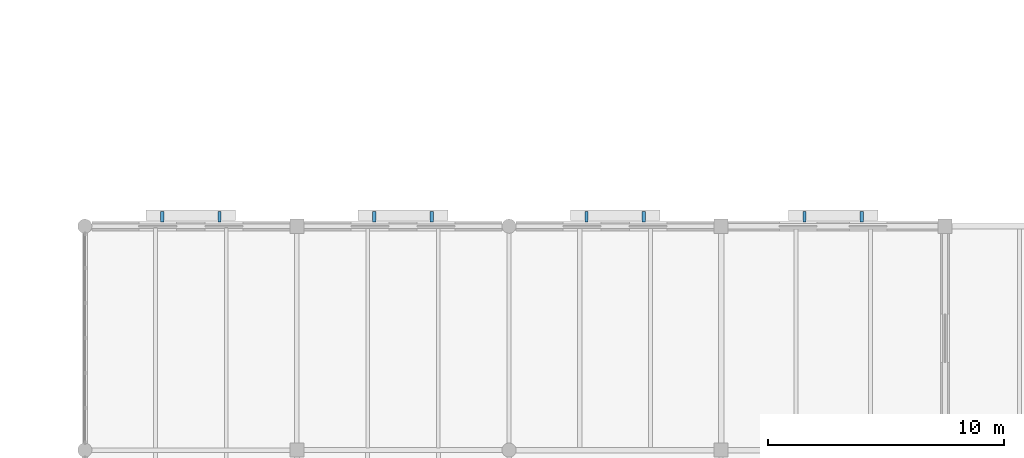
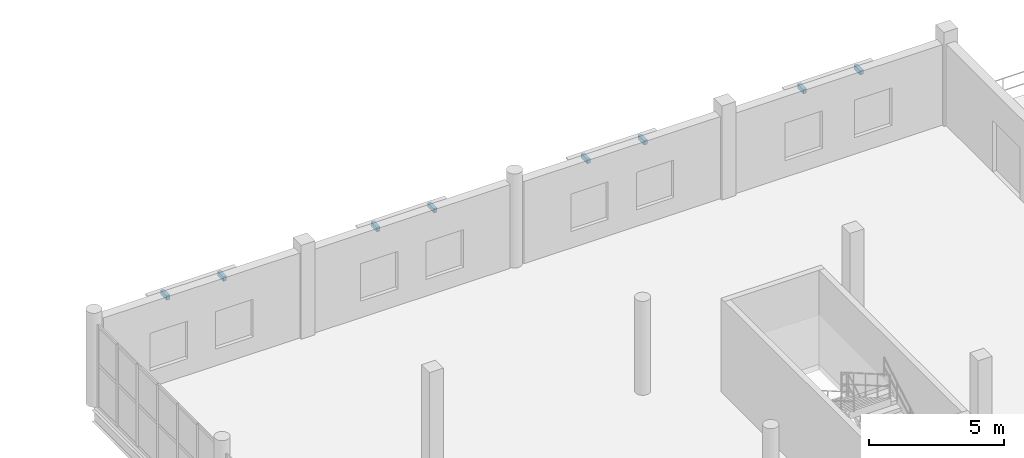
# One storey, part 63 of 73: 8 discrete accessories.
"""IFC4 building model written with IfcOpenShell, lengths in metres."""

from ifc_helpers import new_model, si_unit, direction, frame, origin, origin_2d, place, context, subcontext, project, spatial, rectangle, extrude, material, type_object, element, save


model = new_model("IFC4")

# Units and contexts
model_context = context("Model", 3, precision=1e-05, world=origin(), true_north=direction((0.0, 1.0)))
body_context = subcontext(model_context, "Body", "Model", "MODEL_VIEW")
ifc_project = project(units=[si_unit("LENGTHUNIT", "METRE"), si_unit("AREAUNIT", "SQUARE_METRE"), si_unit("VOLUMEUNIT", "CUBIC_METRE"), si_unit("PLANEANGLEUNIT", "RADIAN"), si_unit("MASSUNIT", "GRAM", prefix="KILO")], contexts=[model_context])

# Site, building, storey
site_placement = place(None, origin())
site = spatial("IfcSite", under=ifc_project, at=site_placement, CompositionType="ELEMENT")
building_placement = place(site_placement, origin())
building = spatial("IfcBuilding", under=site, at=building_placement, Name="Marnock Terrace Opera House", CompositionType="ELEMENT")
storey_placement = place(building_placement, frame((0.0, 0.0, 14.699951171875)))
storey = spatial("IfcBuildingStorey", under=building, at=storey_placement, Name="L03", CompositionType="ELEMENT", Elevation=14.699951171875)

# Discrete accessories
ifc_material = material(Name="Galvanised architectural steel framing", Category="steel")
discrete_accessory_type = type_object("IfcDiscreteAccessoryType", Name="ACC-BRACKET-450", PredefinedType="BRACKET", material=ifc_material)
for number, where, z_axis, x_axis, name in (
    (1, (121.283935546875, 94.39990234375, 3.3974609375), (0.0, 0.0, 1.0), (1.0, 0.0, 0.0), "Brise-soleil support bracket EW-V5N-L03-1.A"),
    (2, (123.716064453125, 94.39990234375, 3.3974609375), (0.0, 0.0, 1.0), (1.0, 0.0, 0.0), "Brise-soleil support bracket EW-V5N-L03-1.B"),
    (3, (130.283935546875, 94.39990234375, 3.33984375), (0.0, 0.0, 1.0), (1.0, 0.0, 0.0), "Brise-soleil support bracket EW-V5N-L03-2.A"),
    (4, (132.716064453125, 94.39990234375, 3.33984375), (0.0, 0.0, 1.0), (1.0, 0.0, 0.0), "Brise-soleil support bracket EW-V5N-L03-2.B"),
    (5, (139.283935546875, 94.39990234375, 3.26708984375), (0.0, 0.0, 1.0), (1.0, 0.0, 0.0), "Brise-soleil support bracket EW-V5N-L03-3.A"),
    (6, (141.716064453125, 94.39990234375, 3.26708984375), (0.0, 0.0, 1.0), (1.0, 0.0, 0.0), "Brise-soleil support bracket EW-V5N-L03-3.B"),
    (7, (148.533935546875, 94.39990234375, 3.19287109375), (0.0, 0.0, 1.0), (1.0, 0.0, 0.0), "Brise-soleil support bracket EW-V5N-L03-4.A"),
    (8, (150.966064453125, 94.39990234375, 3.19287109375), (0.0, 0.0, 1.0), (1.0, 0.0, 0.0), "Brise-soleil support bracket EW-V5N-L03-4.B"),
):
    element("IfcDiscreteAccessory", number, at=place(storey_placement, frame(where, z_axis=z_axis, x_axis=x_axis)), inside=storey, type_object=discrete_accessory_type, Name=name, PredefinedType="BRACKET", context=body_context, shape_type="SweptSolid", body=[
        extrude(rectangle(XDim=0.139892578125, YDim=0.449951171875, at=origin_2d()), origin(), (0.0, 0.0, 1.0), 0.199951171875),
    ])

save(model, "model.ifc")
